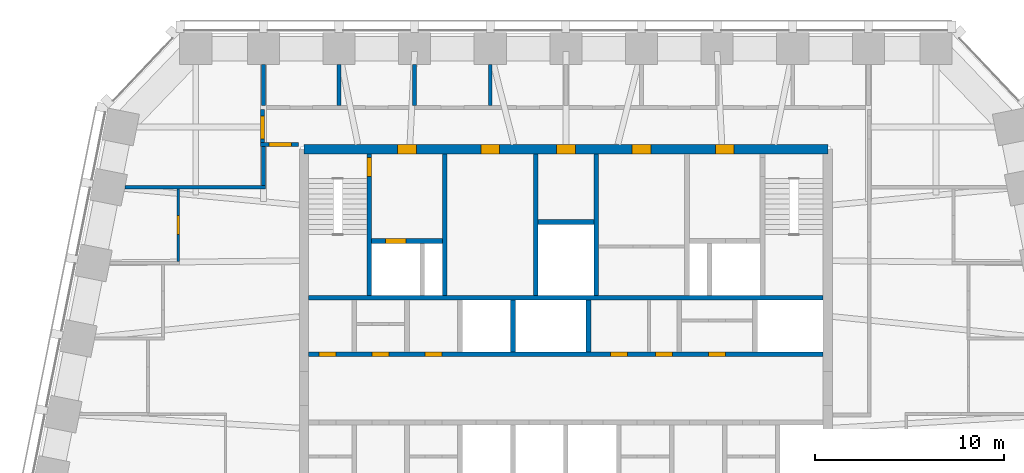
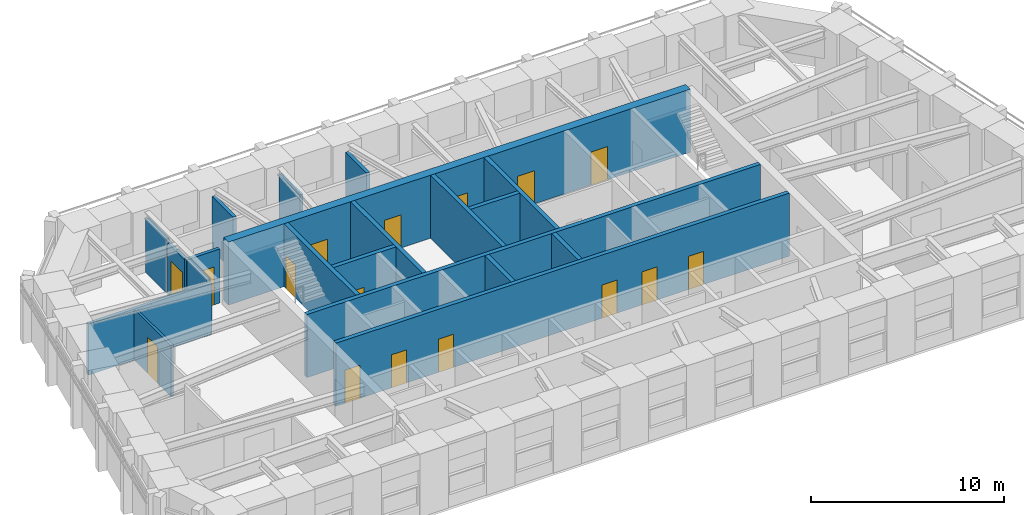
# One storey, part 5 of 9: 20 walls, 16 doors, 16 openings.
"""IFC4 building model written with IfcOpenShell, lengths in metres."""

from ifc_helpers import new_model, si_unit, direction, frame, frame_2d, origin, place, context, subcontext, project, spatial, rectangle, extrude, material, layer, layer_set, type_object, element, fill, save


model = new_model("IFC4")

# Units and contexts
model_context = context("Model", 3, precision=1e-05, world=origin(), true_north=direction((0.0, 1.0)))
body_context = subcontext(model_context, "Body", "Model", "MODEL_VIEW")
ifc_project = project(units=[si_unit("LENGTHUNIT", "METRE"), si_unit("AREAUNIT", "SQUARE_METRE"), si_unit("VOLUMEUNIT", "CUBIC_METRE"), si_unit("PLANEANGLEUNIT", "RADIAN"), si_unit("MASSUNIT", "GRAM", prefix="KILO")], contexts=[model_context])

# Site, building, storey
site_placement = place(None, origin())
site = spatial("IfcSite", under=ifc_project, at=site_placement, CompositionType="ELEMENT")
building_placement = place(site_placement, origin())
building = spatial("IfcBuilding", under=site, at=building_placement, Name="Isbrekke Arena Tower", CompositionType="ELEMENT")
storey_placement = place(building_placement, frame((0.0, 0.0, 316.0)))
storey = spatial("IfcBuildingStorey", under=building, at=storey_placement, Name="L74", CompositionType="ELEMENT", Elevation=316.0)

# Wall, openings, doors
ifc_material_1 = material(Name="Concrete B55 (C55/67)", Category="concrete")
ifc_layer_1 = layer(ifc_material_1, 0.5)
ifc_layer_set_1 = layer_set([ifc_layer_1], Name="CW5 CORE WALL 500")
wall_type_1 = type_object("IfcWallType", Name="CW5 CORE WALL 500", PredefinedType="SHEAR", material=ifc_layer_set_1)
wall_1_placement = place(storey_placement, frame((13.85009765625, 23.85009765625, 0.0), z_axis=(0.0, 0.0, 1.0), x_axis=(-1.0, 0.0, 0.0)))
wall_1 = element("IfcWall", 1, at=wall_1_placement, inside=storey, type_object=wall_type_1, Name="Core wall N L74", PredefinedType="SHEAR", context=body_context, shape_type="SweptSolid", body=[
    extrude(rectangle(XDim=27.7001953125, YDim=0.5, at=frame_2d((13.85009765625, 0.0))), origin(), (0.0, 0.0, 1.0), 4.0),
])
opening_1_placement = place(wall_1_placement, frame((21.75, 0.0, 0.0)))
opening_1 = element("IfcOpeningElement", 2, at=opening_1_placement, cuts=wall_1, Name="Opening D3", PredefinedType="OPENING", context=body_context, shape_type="SweptSolid", body=[
    extrude(rectangle(XDim=1.0, YDim=2.10009765625, at=frame_2d((0.5, 1.050048828125))), frame((0.0, 0.264892578125, 0.0), z_axis=(0.0, -1.0, 0.0), x_axis=(1.0, 0.0, 0.0)), (0.0, 0.0, 1.0), 0.52978515625),
])
opening_2_placement = place(wall_1_placement, frame((4.949951171875, 0.0, 0.0)))
opening_2 = element("IfcOpeningElement", 3, at=opening_2_placement, cuts=wall_1, Name="Opening D3", PredefinedType="OPENING", context=body_context, shape_type="SweptSolid", body=[
    extrude(rectangle(XDim=1.0, YDim=2.10009765625, at=frame_2d((0.5, 1.050048828125))), frame((0.0, 0.264892578125, 0.0), z_axis=(0.0, -1.0, 0.0), x_axis=(1.0, 0.0, 0.0)), (0.0, 0.0, 1.0), 0.52978515625),
])
opening_3_placement = place(wall_1_placement, frame((17.35009765625, 0.0, 0.0)))
opening_3 = element("IfcOpeningElement", 4, at=opening_3_placement, cuts=wall_1, Name="Opening D4", PredefinedType="OPENING", context=body_context, shape_type="SweptSolid", body=[
    extrude(rectangle(XDim=1.0, YDim=2.10009765625, at=frame_2d((0.5, 1.050048828125))), frame((0.0, 0.264892578125, 0.0), z_axis=(0.0, -1.0, 0.0), x_axis=(1.0, 0.0, 0.0)), (0.0, 0.0, 1.0), 0.52978515625),
])
opening_4_placement = place(wall_1_placement, frame((13.35009765625, 0.0, 0.0)))
opening_4 = element("IfcOpeningElement", 5, at=opening_4_placement, cuts=wall_1, Name="Opening D4", PredefinedType="OPENING", context=body_context, shape_type="SweptSolid", body=[
    extrude(rectangle(XDim=1.0, YDim=2.10009765625, at=frame_2d((0.5, 1.050048828125))), frame((0.0, 0.264892578125, 0.0), z_axis=(0.0, -1.0, 0.0), x_axis=(1.0, 0.0, 0.0)), (0.0, 0.0, 1.0), 0.52978515625),
])
opening_5_placement = place(wall_1_placement, frame((9.35009765625, 0.0, 0.0)))
opening_5 = element("IfcOpeningElement", 6, at=opening_5_placement, cuts=wall_1, Name="Opening D4", PredefinedType="OPENING", context=body_context, shape_type="SweptSolid", body=[
    extrude(rectangle(XDim=1.0, YDim=2.10009765625, at=frame_2d((0.5, 1.050048828125))), frame((0.0, 0.264892578125, 0.0), z_axis=(0.0, -1.0, 0.0), x_axis=(1.0, 0.0, 0.0)), (0.0, 0.0, 1.0), 0.52978515625),
])
ifc_material_2 = material(Name="Steel fire door", Category="steel")
door_type_1 = type_object("IfcDoorType", Name="D3 FIRE LOBBY DOOR 1000 x 2100", OperationType="SINGLE_SWING_RIGHT", PredefinedType="DOOR", material=ifc_material_2)
door_1_placement = place(opening_1_placement, origin())
door_1 = element("IfcDoor", 7, at=door_1_placement, inside=storey, type_object=door_type_1, Name="D3 fire-fighting lobby door L74", OperationType="SINGLE_SWING_RIGHT", OverallHeight=2.10009765625, OverallWidth=1.0, PredefinedType="DOOR", context=body_context, shape_type="SweptSolid", body=[
    extrude(rectangle(XDim=1.0, YDim=2.10009765625, at=frame_2d((0.5, 1.050048828125))), frame((0.0, 0.249755859375, 0.0), z_axis=(0.0, -1.0, 0.0), x_axis=(1.0, 0.0, 0.0)), (0.0, 0.0, 1.0), 0.49951171875),
])
fill(opening_1, door_1)
door_2_placement = place(opening_2_placement, origin())
door_2 = element("IfcDoor", 8, at=door_2_placement, inside=storey, type_object=door_type_1, Name="D3 fire-fighting lobby door L74", OperationType="SINGLE_SWING_RIGHT", OverallHeight=2.10009765625, OverallWidth=1.0, PredefinedType="DOOR", context=body_context, shape_type="SweptSolid", body=[
    extrude(rectangle(XDim=1.0, YDim=2.10009765625, at=frame_2d((0.5, 1.050048828125))), frame((0.0, 0.249755859375, 0.0), z_axis=(0.0, -1.0, 0.0), x_axis=(1.0, 0.0, 0.0)), (0.0, 0.0, 1.0), 0.49951171875),
])
fill(opening_2, door_2)
ifc_material_3 = material(Name="Timber door", Category="wood")
door_type_2 = type_object("IfcDoorType", Name="D4 WC DOOR 1000 x 2100", OperationType="SINGLE_SWING_LEFT", PredefinedType="DOOR", material=ifc_material_3)
door_3_placement = place(opening_3_placement, origin())
door_3 = element("IfcDoor", 9, at=door_3_placement, inside=storey, type_object=door_type_2, Name="D4 wc female door L74", OperationType="SINGLE_SWING_LEFT", OverallHeight=2.10009765625, OverallWidth=1.0, PredefinedType="DOOR", context=body_context, shape_type="SweptSolid", body=[
    extrude(rectangle(XDim=1.0, YDim=2.10009765625, at=frame_2d((0.5, 1.050048828125))), frame((0.0, 0.249755859375, 0.0), z_axis=(0.0, -1.0, 0.0), x_axis=(1.0, 0.0, 0.0)), (0.0, 0.0, 1.0), 0.49951171875),
])
fill(opening_3, door_3)
door_4_placement = place(opening_4_placement, origin())
door_4 = element("IfcDoor", 10, at=door_4_placement, inside=storey, type_object=door_type_2, Name="D4 accessible wc door L74", OperationType="SINGLE_SWING_LEFT", OverallHeight=2.10009765625, OverallWidth=1.0, PredefinedType="DOOR", context=body_context, shape_type="SweptSolid", body=[
    extrude(rectangle(XDim=1.0, YDim=2.10009765625, at=frame_2d((0.5, 1.050048828125))), frame((0.0, 0.249755859375, 0.0), z_axis=(0.0, -1.0, 0.0), x_axis=(1.0, 0.0, 0.0)), (0.0, 0.0, 1.0), 0.49951171875),
])
fill(opening_4, door_4)
door_5_placement = place(opening_5_placement, origin())
door_5 = element("IfcDoor", 11, at=door_5_placement, inside=storey, type_object=door_type_2, Name="D4 wc male door L74", OperationType="SINGLE_SWING_LEFT", OverallHeight=2.10009765625, OverallWidth=1.0, PredefinedType="DOOR", context=body_context, shape_type="SweptSolid", body=[
    extrude(rectangle(XDim=1.0, YDim=2.10009765625, at=frame_2d((0.5, 1.050048828125))), frame((0.0, 0.249755859375, 0.0), z_axis=(0.0, -1.0, 0.0), x_axis=(1.0, 0.0, 0.0)), (0.0, 0.0, 1.0), 0.49951171875),
])
fill(opening_5, door_5)

ifc_material_4 = material(Name="Concrete B45 (C45/55)", Category="concrete")
ifc_layer_2 = layer(ifc_material_4, 0.25)
ifc_layer_set_2 = layer_set([ifc_layer_2], Name="CW6 SHAFT WALL 250")
wall_type_2 = type_object("IfcWallType", Name="CW6 SHAFT WALL 250", PredefinedType="SHEAR", material=ifc_layer_set_2)
wall_2_placement = place(storey_placement, frame((-13.60009765625, 13.0, 0.0), z_axis=(0.0, 0.0, 1.0), x_axis=(1.0, 0.0, 0.0)))
wall_2 = element("IfcWall", 12, at=wall_2_placement, inside=storey, type_object=wall_type_2, Name="Core wall LN L74", PredefinedType="SHEAR", context=body_context, shape_type="SweptSolid", body=[
    extrude(rectangle(XDim=27.2001953125, YDim=0.25, at=frame_2d((13.60009765625, 0.0))), origin(), (0.0, 0.0, 1.0), 4.0),
])
opening_6_placement = place(wall_2_placement, frame((15.949951171875, 0.0, 0.0)))
opening_6 = element("IfcOpeningElement", 13, at=opening_6_placement, cuts=wall_2, Name="Opening D5", PredefinedType="OPENING", context=body_context, shape_type="SweptSolid", body=[
    extrude(rectangle(XDim=0.89990234375, YDim=2.10009765625, at=frame_2d((0.449951171875, 1.050048828125))), frame((0.0, 0.139892578125, 0.0), z_axis=(0.0, -1.0, 0.0), x_axis=(1.0, 0.0, 0.0)), (0.0, 0.0, 1.0), 0.27978515625),
])
opening_7_placement = place(wall_2_placement, frame((18.35009765625, 0.0, 0.0)))
opening_7 = element("IfcOpeningElement", 14, at=opening_7_placement, cuts=wall_2, Name="Opening D5", PredefinedType="OPENING", context=body_context, shape_type="SweptSolid", body=[
    extrude(rectangle(XDim=0.89990234375, YDim=2.10009765625, at=frame_2d((0.449951171875, 1.050048828125))), frame((0.0, 0.139892578125, 0.0), z_axis=(0.0, -1.0, 0.0), x_axis=(1.0, 0.0, 0.0)), (0.0, 0.0, 1.0), 0.27978515625),
])
opening_8_placement = place(wall_2_placement, frame((21.14990234375, 0.0, 0.0)))
opening_8 = element("IfcOpeningElement", 15, at=opening_8_placement, cuts=wall_2, Name="Opening D5", PredefinedType="OPENING", context=body_context, shape_type="SweptSolid", body=[
    extrude(rectangle(XDim=0.89990234375, YDim=2.10009765625, at=frame_2d((0.449951171875, 1.050048828125))), frame((0.0, 0.139892578125, 0.0), z_axis=(0.0, -1.0, 0.0), x_axis=(1.0, 0.0, 0.0)), (0.0, 0.0, 1.0), 0.27978515625),
])
opening_9_placement = place(wall_2_placement, frame((0.550048828125, 0.0, 0.0)))
opening_9 = element("IfcOpeningElement", 16, at=opening_9_placement, cuts=wall_2, Name="Opening D5", PredefinedType="OPENING", context=body_context, shape_type="SweptSolid", body=[
    extrude(rectangle(XDim=0.89990234375, YDim=2.10009765625, at=frame_2d((0.449951171875, 1.050048828125))), frame((0.0, 0.139892578125, 0.0), z_axis=(0.0, -1.0, 0.0), x_axis=(1.0, 0.0, 0.0)), (0.0, 0.0, 1.0), 0.27978515625),
])
opening_10_placement = place(wall_2_placement, frame((3.35009765625, 0.0, 0.0)))
opening_10 = element("IfcOpeningElement", 17, at=opening_10_placement, cuts=wall_2, Name="Opening D5", PredefinedType="OPENING", context=body_context, shape_type="SweptSolid", body=[
    extrude(rectangle(XDim=0.89990234375, YDim=2.10009765625, at=frame_2d((0.449951171875, 1.050048828125))), frame((0.0, 0.139892578125, 0.0), z_axis=(0.0, -1.0, 0.0), x_axis=(1.0, 0.0, 0.0)), (0.0, 0.0, 1.0), 0.27978515625),
])
opening_11_placement = place(wall_2_placement, frame((6.14990234375, 0.0, 0.0)))
opening_11 = element("IfcOpeningElement", 18, at=opening_11_placement, cuts=wall_2, Name="Opening D5", PredefinedType="OPENING", context=body_context, shape_type="SweptSolid", body=[
    extrude(rectangle(XDim=0.89990234375, YDim=2.10009765625, at=frame_2d((0.449951171875, 1.050048828125))), frame((0.0, 0.139892578125, 0.0), z_axis=(0.0, -1.0, 0.0), x_axis=(1.0, 0.0, 0.0)), (0.0, 0.0, 1.0), 0.27978515625),
])
ifc_material_5 = material(Name="Steel fire door", Category="steel")
door_type_3 = type_object("IfcDoorType", Name="D5 SERVICE DOOR 900 x 2100", OperationType="SINGLE_SWING_LEFT", PredefinedType="DOOR", material=ifc_material_5)
door_6_placement = place(opening_6_placement, origin())
door_6 = element("IfcDoor", 19, at=door_6_placement, inside=storey, type_object=door_type_3, Name="D5 first-aid room door L74", OperationType="SINGLE_SWING_LEFT", OverallHeight=2.10009765625, OverallWidth=0.89990234375, PredefinedType="DOOR", context=body_context, shape_type="SweptSolid", body=[
    extrude(rectangle(XDim=0.89990234375, YDim=2.10009765625, at=frame_2d((0.449951171875, 1.050048828125))), frame((0.0, 0.124755859375, 0.0), z_axis=(0.0, -1.0, 0.0), x_axis=(1.0, 0.0, 0.0)), (0.0, 0.0, 1.0), 0.24951171875),
])
fill(opening_6, door_6)
door_7_placement = place(opening_7_placement, origin())
door_7 = element("IfcDoor", 20, at=door_7_placement, inside=storey, type_object=door_type_3, Name="D5 cleaner's store door L74", OperationType="SINGLE_SWING_LEFT", OverallHeight=2.10009765625, OverallWidth=0.89990234375, PredefinedType="DOOR", context=body_context, shape_type="SweptSolid", body=[
    extrude(rectangle(XDim=0.89990234375, YDim=2.10009765625, at=frame_2d((0.449951171875, 1.050048828125))), frame((0.0, 0.124755859375, 0.0), z_axis=(0.0, -1.0, 0.0), x_axis=(1.0, 0.0, 0.0)), (0.0, 0.0, 1.0), 0.24951171875),
])
fill(opening_7, door_7)
door_8_placement = place(opening_8_placement, origin())
door_8 = element("IfcDoor", 21, at=door_8_placement, inside=storey, type_object=door_type_3, Name="D5 communications room door L74", OperationType="SINGLE_SWING_LEFT", OverallHeight=2.10009765625, OverallWidth=0.89990234375, PredefinedType="DOOR", context=body_context, shape_type="SweptSolid", body=[
    extrude(rectangle(XDim=0.89990234375, YDim=2.10009765625, at=frame_2d((0.449951171875, 1.050048828125))), frame((0.0, 0.124755859375, 0.0), z_axis=(0.0, -1.0, 0.0), x_axis=(1.0, 0.0, 0.0)), (0.0, 0.0, 1.0), 0.24951171875),
])
fill(opening_8, door_8)
door_9_placement = place(opening_9_placement, origin())
door_9 = element("IfcDoor", 22, at=door_9_placement, inside=storey, type_object=door_type_3, Name="D5 archive door L74", OperationType="SINGLE_SWING_LEFT", OverallHeight=2.10009765625, OverallWidth=0.89990234375, PredefinedType="DOOR", context=body_context, shape_type="SweptSolid", body=[
    extrude(rectangle(XDim=0.89990234375, YDim=2.10009765625, at=frame_2d((0.449951171875, 1.050048828125))), frame((0.0, 0.124755859375, 0.0), z_axis=(0.0, -1.0, 0.0), x_axis=(1.0, 0.0, 0.0)), (0.0, 0.0, 1.0), 0.24951171875),
])
fill(opening_9, door_9)
door_10_placement = place(opening_10_placement, origin())
door_10 = element("IfcDoor", 23, at=door_10_placement, inside=storey, type_object=door_type_3, Name="D5 print room door L74", OperationType="SINGLE_SWING_LEFT", OverallHeight=2.10009765625, OverallWidth=0.89990234375, PredefinedType="DOOR", context=body_context, shape_type="SweptSolid", body=[
    extrude(rectangle(XDim=0.89990234375, YDim=2.10009765625, at=frame_2d((0.449951171875, 1.050048828125))), frame((0.0, 0.124755859375, 0.0), z_axis=(0.0, -1.0, 0.0), x_axis=(1.0, 0.0, 0.0)), (0.0, 0.0, 1.0), 0.24951171875),
])
fill(opening_10, door_10)
door_11_placement = place(opening_11_placement, origin())
door_11 = element("IfcDoor", 24, at=door_11_placement, inside=storey, type_object=door_type_3, Name="D5 technical room door L74", OperationType="SINGLE_SWING_LEFT", OverallHeight=2.10009765625, OverallWidth=0.89990234375, PredefinedType="DOOR", context=body_context, shape_type="SweptSolid", body=[
    extrude(rectangle(XDim=0.89990234375, YDim=2.10009765625, at=frame_2d((0.449951171875, 1.050048828125))), frame((0.0, 0.124755859375, 0.0), z_axis=(0.0, -1.0, 0.0), x_axis=(1.0, 0.0, 0.0)), (0.0, 0.0, 1.0), 0.24951171875),
])
fill(opening_11, door_11)

# Walls
wall_3_placement = place(storey_placement, frame((-13.60009765625, 16.0, 0.0), z_axis=(0.0, 0.0, 1.0), x_axis=(1.0, 0.0, 0.0)))
element("IfcWall", 25, at=wall_3_placement, inside=storey, type_object=wall_type_2, Name="Core wall NB L74", PredefinedType="SHEAR", context=body_context, shape_type="SweptSolid", body=[
    extrude(rectangle(XDim=27.2001953125, YDim=0.25, at=frame_2d((13.60009765625, 0.0))), origin(), (0.0, 0.0, 1.0), 4.0),
])
for number, where, z_axis, x_axis, name in (
    (26, (-2.800048828125, 13.125, 0.0), (0.0, 0.0, 1.0), (0.0, 1.0, 0.0), "Core wall SN04 L74"),
    (27, (1.199951171875, 13.125, 0.0), (0.0, 0.0, 1.0), (0.0, 1.0, 0.0), "Core wall SN05 L74"),
):
    element("IfcWall", number, at=place(storey_placement, frame(where, z_axis=z_axis, x_axis=x_axis)), inside=storey, type_object=wall_type_2, Name=name, PredefinedType="SHEAR", context=body_context, shape_type="SweptSolid", body=[
        extrude(rectangle(XDim=2.75, YDim=0.25, at=frame_2d((1.375, 0.0))), origin(), (0.0, 0.0, 1.0), 4.0),
    ])

# Wall, opening, door
wall_4_placement = place(storey_placement, frame((-10.39990234375, 16.125, 0.0), z_axis=(0.0, 0.0, 1.0), x_axis=(0.0, 1.0, 0.0)))
wall_4 = element("IfcWall", 28, at=wall_4_placement, inside=storey, type_object=wall_type_2, Name="Core wall NV01 L74", PredefinedType="SHEAR", context=body_context, shape_type="SweptSolid", body=[
    extrude(rectangle(XDim=7.47509765625, YDim=0.25, at=frame_2d((3.737548828125, 0.0))), origin(), (0.0, 0.0, 1.0), 4.0),
])
opening_12_placement = place(wall_4_placement, frame((6.27490234375, 0.0, 0.0)))
opening_12 = element("IfcOpeningElement", 29, at=opening_12_placement, cuts=wall_4, Name="Opening D2", PredefinedType="OPENING", context=body_context, shape_type="SweptSolid", body=[
    extrude(rectangle(XDim=1.0, YDim=2.10009765625, at=frame_2d((0.5, 1.050048828125))), frame((0.0, 0.139892578125, 0.0), z_axis=(0.0, -1.0, 0.0), x_axis=(1.0, 0.0, 0.0)), (0.0, 0.0, 1.0), 0.27978515625),
])
ifc_material_6 = material(Name="Steel fire door", Category="steel")
door_type_4 = type_object("IfcDoorType", Name="D2 STAIR DOOR 1000 x 2100", OperationType="SINGLE_SWING_LEFT", PredefinedType="DOOR", material=ifc_material_6)
door_12_placement = place(opening_12_placement, origin())
door_12 = element("IfcDoor", 30, at=door_12_placement, inside=storey, type_object=door_type_4, Name="D2 stair door ST1 L74", OperationType="SINGLE_SWING_LEFT", OverallHeight=2.10009765625, OverallWidth=1.0, PredefinedType="DOOR", context=body_context, shape_type="SweptSolid", body=[
    extrude(rectangle(XDim=1.0, YDim=2.10009765625, at=frame_2d((0.5, 1.050048828125))), frame((0.0, 0.124755859375, 0.0), z_axis=(0.0, -1.0, 0.0), x_axis=(1.0, 0.0, 0.0)), (0.0, 0.0, 1.0), 0.24951171875),
])
fill(opening_12, door_12)

# Walls
for number, where, z_axis, x_axis, name in (
    (31, (-6.39990234375, 16.125, 0.0), (0.0, 0.0, 1.0), (0.0, 1.0, 0.0), "Core wall NV02 L74"),
    (32, (-1.60009765625, 16.125, 0.0), (0.0, 0.0, 1.0), (0.0, 1.0, 0.0), "Core wall NV03 L74"),
    (33, (1.60009765625, 16.125, 0.0), (0.0, 0.0, 1.0), (0.0, 1.0, 0.0), "Core wall NV04 L74"),
):
    element("IfcWall", number, at=place(storey_placement, frame(where, z_axis=z_axis, x_axis=x_axis)), inside=storey, type_object=wall_type_2, Name=name, PredefinedType="SHEAR", context=body_context, shape_type="SweptSolid", body=[
        extrude(rectangle(XDim=7.47509765625, YDim=0.25, at=frame_2d((3.737548828125, 0.0))), origin(), (0.0, 0.0, 1.0), 4.0),
    ])

# Wall, opening, door
wall_5_placement = place(storey_placement, frame((-10.27490234375, 19.0, 0.0), z_axis=(0.0, 0.0, 1.0), x_axis=(1.0, 0.0, 0.0)))
wall_5 = element("IfcWall", 34, at=wall_5_placement, inside=storey, type_object=wall_type_2, Name="Core wall NFW L74", PredefinedType="SHEAR", context=body_context, shape_type="SweptSolid", body=[
    extrude(rectangle(XDim=3.75, YDim=0.25, at=frame_2d((1.875, 0.0))), origin(), (0.0, 0.0, 1.0), 4.0),
])
opening_13_placement = place(wall_5_placement, frame((0.72509765625, 0.0, 0.0)))
opening_13 = element("IfcOpeningElement", 35, at=opening_13_placement, cuts=wall_5, Name="Opening LD2", PredefinedType="OPENING", context=body_context, shape_type="SweptSolid", body=[
    extrude(rectangle(XDim=1.10009765625, YDim=2.10009765625, at=frame_2d((0.550048828125, 1.050048828125))), frame((0.0, 0.139892578125, 0.0), z_axis=(0.0, -1.0, 0.0), x_axis=(1.0, 0.0, 0.0)), (0.0, 0.0, 1.0), 0.27978515625),
])
ifc_material_7 = material(Name="Stainless steel lift landing door", Category="steel")
door_type_5 = type_object("IfcDoorType", Name="LD2 FIRE-FIGHTING LIFT LANDING DOOR 1100 x 2100", OperationType="SLIDING_TO_RIGHT", PredefinedType="DOOR", material=ifc_material_7)
door_13_placement = place(opening_13_placement, origin())
door_13 = element("IfcDoor", 36, at=door_13_placement, inside=storey, type_object=door_type_5, Name="LD2 lift landing door LF L74", OperationType="SLIDING_TO_RIGHT", OverallHeight=2.10009765625, OverallWidth=1.10009765625, PredefinedType="DOOR", context=body_context, shape_type="SweptSolid", body=[
    extrude(rectangle(XDim=1.10009765625, YDim=2.10009765625, at=frame_2d((0.550048828125, 1.050048828125))), frame((0.0, 0.124755859375, 0.0), z_axis=(0.0, -1.0, 0.0), x_axis=(1.0, 0.0, 0.0)), (0.0, 0.0, 1.0), 0.24951171875),
])
fill(opening_13, door_13)

# Wall
wall_6_placement = place(storey_placement, frame((-1.47509765625, 20.0, 0.0), z_axis=(0.0, 0.0, 1.0), x_axis=(1.0, 0.0, 0.0)))
element("IfcWall", 37, at=wall_6_placement, inside=storey, type_object=wall_type_2, Name="Core wall NWC L74", PredefinedType="SHEAR", context=body_context, shape_type="SweptSolid", body=[
    extrude(rectangle(XDim=2.9501953125, YDim=0.25, at=frame_2d((1.47509765625, 0.0))), origin(), (0.0, 0.0, 1.0), 4.0),
])

# Wall, opening, door
ifc_material_8 = material(Name="Gypsum board partition on steel studs", Category="steel")
ifc_layer_3 = layer(ifc_material_8, 0.14990234375)
ifc_layer_set_3 = layer_set([ifc_layer_3], Name="IW1 PARTITION 150")
wall_type_3 = type_object("IfcWallType", Name="IW1 PARTITION 150", PredefinedType="PARTITIONING", material=ifc_layer_set_3)
wall_7_placement = place(storey_placement, frame((-20.5, 17.9150390625, 0.0), z_axis=(0.0, 0.0, 1.0), x_axis=(0.0, 1.0, 0.0)))
wall_7 = element("IfcWall", 38, at=wall_7_placement, inside=storey, type_object=wall_type_3, Name="IW1 partition 150 L74", PredefinedType="PARTITIONING", context=body_context, shape_type="SweptSolid", body=[
    extrude(rectangle(XDim=3.824951171875, YDim=0.14990234375, at=frame_2d((1.91259765625, 0.0))), origin(), (0.0, 0.0, 1.0), 3.22998046875),
])
opening_14_placement = place(wall_7_placement, frame((1.425048828125, 0.0, 0.0)))
opening_14 = element("IfcOpeningElement", 39, at=opening_14_placement, cuts=wall_7, Name="Opening D10", PredefinedType="OPENING", context=body_context, shape_type="SweptSolid", body=[
    extrude(rectangle(XDim=1.0, YDim=2.300048828125, at=frame_2d((0.5, 1.14990234375))), frame((0.0, 0.08984375, 0.0), z_axis=(0.0, -1.0, 0.0), x_axis=(1.0, 0.0, 0.0)), (0.0, 0.0, 1.0), 0.1796875),
])
ifc_material_9 = material(Name="Timber door", Category="wood")
door_type_6 = type_object("IfcDoorType", Name="D10 OFFICE DOOR 1000 x 2300", OperationType="SINGLE_SWING_LEFT", PredefinedType="DOOR", material=ifc_material_9)
door_14_placement = place(opening_14_placement, origin())
door_14 = element("IfcDoor", 40, at=door_14_placement, inside=storey, type_object=door_type_6, Name="D10 pantry door L74", OperationType="SINGLE_SWING_LEFT", OverallHeight=2.300048828125, OverallWidth=1.0, PredefinedType="DOOR", context=body_context, shape_type="SweptSolid", body=[
    extrude(rectangle(XDim=1.0, YDim=2.300048828125, at=frame_2d((0.5, 1.14990234375))), frame((0.0, 0.07470703125, 0.0), z_axis=(0.0, -1.0, 0.0), x_axis=(1.0, 0.0, 0.0)), (0.0, 0.0, 1.0), 0.1494140625),
])
fill(opening_14, door_14)

# Wall
ifc_material_10 = material(Name="Gypsum board fire-cell wall on steel studs, two layers each side", Category="steel")
ifc_layer_4 = layer(ifc_material_10, 0.199951171875)
ifc_layer_set_4 = layer_set([ifc_layer_4], Name="IW3 FIRE-CELL WALL 200")
wall_type_4 = type_object("IfcWallType", Name="IW3 FIRE-CELL WALL 200", PredefinedType="PARTITIONING", material=ifc_layer_set_4)
wall_8_placement = place(storey_placement, frame((-23.32373046875, 21.840087890625, 0.0), z_axis=(0.0, 0.0, 1.0), x_axis=(1.0, 0.0, 0.0)))
element("IfcWall", 41, at=wall_8_placement, inside=storey, type_object=wall_type_4, Name="IW3 fire-cell wall 200 L74", PredefinedType="PARTITIONING", context=body_context, shape_type="SweptSolid", body=[
    extrude(rectangle(XDim=7.423828125, YDim=0.199951171875, at=frame_2d((3.7119140625, 0.0))), origin(), (0.0, 0.0, 1.0), 3.22998046875),
])

# Wall, opening, door
wall_9_placement = place(storey_placement, frame((-16.14990234375, 24.10009765625, 0.0), z_axis=(0.0, 0.0, 1.0), x_axis=(1.0, 0.0, 0.0)))
wall_9 = element("IfcWall", 42, at=wall_9_placement, inside=storey, type_object=wall_type_4, Name="IW3 fire-cell wall 200 L74", PredefinedType="PARTITIONING", context=body_context, shape_type="SweptSolid", body=[
    extrude(rectangle(XDim=2.02001953125, YDim=0.199951171875, at=frame_2d((1.010009765625, 0.0))), origin(), (0.0, 0.0, 1.0), 3.41796875),
])
opening_15_placement = place(wall_9_placement, frame((0.449951171875, 0.0, 0.0)))
opening_15 = element("IfcOpeningElement", 43, at=opening_15_placement, cuts=wall_9, Name="Opening D12", PredefinedType="OPENING", context=body_context, shape_type="SweptSolid", body=[
    extrude(rectangle(XDim=1.199951171875, YDim=2.39990234375, at=frame_2d((0.60009765625, 1.199951171875))), frame((0.0, 0.11474609375, 0.0), z_axis=(0.0, -1.0, 0.0), x_axis=(1.0, 0.0, 0.0)), (0.0, 0.0, 1.0), 0.229736328125),
])
ifc_material_11 = material(Name="Timber fire door with vision panel", Category="wood")
door_type_7 = type_object("IfcDoorType", Name="D12 SUITE ENTRANCE DOOR 1200 x 2400", OperationType="SINGLE_SWING_LEFT", PredefinedType="DOOR", material=ifc_material_11)
door_15_placement = place(opening_15_placement, origin())
door_15 = element("IfcDoor", 44, at=door_15_placement, inside=storey, type_object=door_type_7, Name="D12 suite entrance W door L74", OperationType="SINGLE_SWING_LEFT", OverallHeight=2.39990234375, OverallWidth=1.199951171875, PredefinedType="DOOR", context=body_context, shape_type="SweptSolid", body=[
    extrude(rectangle(XDim=1.199951171875, YDim=2.39990234375, at=frame_2d((0.60009765625, 1.199951171875))), frame((0.0, 0.099609375, 0.0), z_axis=(0.0, -1.0, 0.0), x_axis=(1.0, 0.0, 0.0)), (0.0, 0.0, 1.0), 0.199462890625),
])
fill(opening_15, door_15)

wall_10_placement = place(storey_placement, frame((-16.050048828125, 24.199951171875, 0.0), z_axis=(0.0, 0.0, 1.0), x_axis=(0.0, 1.0, 0.0)))
wall_10 = element("IfcWall", 45, at=wall_10_placement, inside=storey, type_object=wall_type_4, Name="IW3 fire-cell wall 200 L74", PredefinedType="PARTITIONING", context=body_context, shape_type="SweptSolid", body=[
    extrude(rectangle(XDim=1.75, YDim=0.199951171875, at=frame_2d((0.875, 0.0))), origin(), (0.0, 0.0, 1.0), 3.325927734375),
])
opening_16_placement = place(wall_10_placement, frame((0.199951171875, 0.0, 0.0)))
opening_16 = element("IfcOpeningElement", 46, at=opening_16_placement, cuts=wall_10, Name="Opening D12", PredefinedType="OPENING", context=body_context, shape_type="SweptSolid", body=[
    extrude(rectangle(XDim=1.199951171875, YDim=2.39990234375, at=frame_2d((0.60009765625, 1.199951171875))), frame((0.0, 0.11474609375, 0.0), z_axis=(0.0, -1.0, 0.0), x_axis=(1.0, 0.0, 0.0)), (0.0, 0.0, 1.0), 0.229736328125),
])
door_16_placement = place(opening_16_placement, origin())
door_16 = element("IfcDoor", 47, at=door_16_placement, inside=storey, type_object=door_type_7, Name="D12 suite entrance NCW door L74", OperationType="SINGLE_SWING_LEFT", OverallHeight=2.39990234375, OverallWidth=1.199951171875, PredefinedType="DOOR", context=body_context, shape_type="SweptSolid", body=[
    extrude(rectangle(XDim=1.199951171875, YDim=2.39990234375, at=frame_2d((0.60009765625, 1.199951171875))), frame((0.0, 0.099609375, 0.0), z_axis=(0.0, -1.0, 0.0), x_axis=(1.0, 0.0, 0.0)), (0.0, 0.0, 1.0), 0.199462890625),
])
fill(opening_16, door_16)

# Walls
wall_11_placement = place(storey_placement, frame((-16.0, 21.93994140625, 0.0), z_axis=(0.0, 0.0, 1.0), x_axis=(0.0, 1.0, 0.0)))
element("IfcWall", 48, at=wall_11_placement, inside=storey, type_object=wall_type_4, Name="IW3 fire-cell wall 200 L74", PredefinedType="PARTITIONING", context=body_context, shape_type="SweptSolid", body=[
    extrude(rectangle(XDim=2.06005859375, YDim=0.199951171875, at=frame_2d((1.030029296875, 0.0))), origin(), (0.0, 0.0, 1.0), 3.41796875),
])
for number, where, z_axis, x_axis, name in (
    (49, (-16.0, 26.14990234375, 0.0), (0.0, 0.0, 1.0), (0.0, 1.0, 0.0), "IW3 fire-cell wall 200 L74"),
    (50, (-12.0, 26.14990234375, 0.0), (0.0, 0.0, 1.0), (0.0, 1.0, 0.0), "IW3 fire-cell wall 200 L74"),
    (51, (-8.0, 26.14990234375, 0.0), (0.0, 0.0, 1.0), (0.0, 1.0, 0.0), "IW3 fire-cell wall 200 L74"),
    (52, (-4.0, 26.14990234375, 0.0), (0.0, 0.0, 1.0), (0.0, 1.0, 0.0), "IW3 fire-cell wall 200 L74"),
):
    element("IfcWall", number, at=place(storey_placement, frame(where, z_axis=z_axis, x_axis=x_axis)), inside=storey, type_object=wall_type_4, Name=name, PredefinedType="PARTITIONING", context=body_context, shape_type="SweptSolid", body=[
        extrude(rectangle(XDim=2.175048828125, YDim=0.199951171875, at=frame_2d((1.08740234375, 0.0))), origin(), (0.0, 0.0, 1.0), 3.41796875),
    ])

save(model, "model.ifc")
